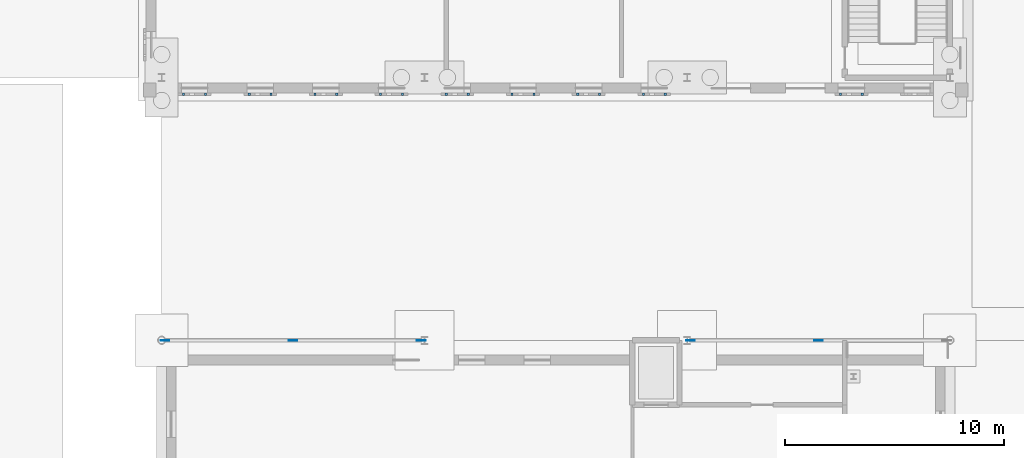
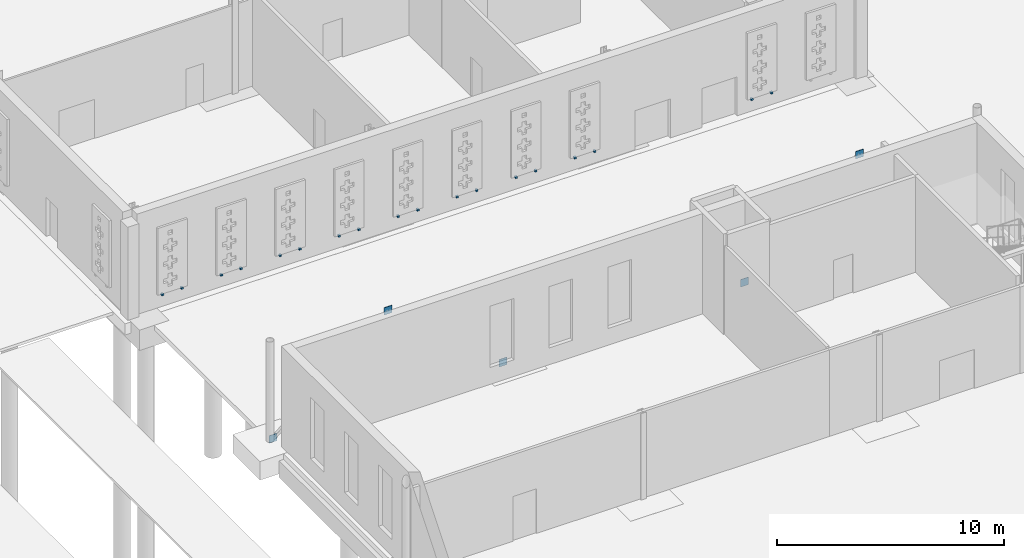
# One storey, part 112 of 132: 23 discrete accessories.
"""IFC4 building model written with IfcOpenShell, lengths in metres."""

from ifc_helpers import new_model, si_unit, direction, frame, origin, origin_2d, place, context, subcontext, project, spatial, rectangle, extrude, material, material_profile, profile_set, type_object, element, save


model = new_model("IFC4")

# Units and contexts
model_context = context("Model", 3, precision=1e-05, world=origin(), true_north=direction((0.0, 1.0)))
body_context = subcontext(model_context, "Body", "Model", "MODEL_VIEW")
ifc_project = project(units=[si_unit("LENGTHUNIT", "METRE"), si_unit("AREAUNIT", "SQUARE_METRE"), si_unit("VOLUMEUNIT", "CUBIC_METRE"), si_unit("PLANEANGLEUNIT", "RADIAN"), si_unit("MASSUNIT", "GRAM", prefix="KILO")], contexts=[model_context])

# Site, building, storey
site_placement = place(None, origin())
site = spatial("IfcSite", under=ifc_project, at=site_placement, CompositionType="ELEMENT")
building_placement = place(site_placement, origin())
building = spatial("IfcBuilding", under=site, at=building_placement, Name="Ravi Spectrum Wholesale Market", CompositionType="ELEMENT")
storey_placement = place(building_placement, origin())
storey = spatial("IfcBuildingStorey", under=building, at=storey_placement, Name="L00", CompositionType="ELEMENT", Elevation=0.0)

# Discrete accessories
ifc_material_1 = material(Name="Steel S355", Category="steel")
ifc_material_profile = material_profile(ifc_material_1, rectangle(XDim=0.39990234375, YDim=0.02001953125, at=origin_2d()))
ifc_profile_set = profile_set([ifc_material_profile], Name="Steel S355")
discrete_accessory_type_1 = type_object("IfcDiscreteAccessoryType", Name="Gusset plate 400x400x20", PredefinedType="BRACKET", material=ifc_profile_set)
for number, where, z_axis, x_axis, name in (
    (1, (162.14990234375, 186.0, -0.14208984375), (0.0, 0.0, 1.0), (1.0, 0.0, 0.0), "Gusset plate"),
    (2, (168.0, 186.0, 4.699951171875), (0.0, 0.0, 1.0), (1.0, 0.0, 0.0), "Gusset plate"),
    (3, (173.85009765625, 186.0, -0.14208984375), (0.0, 0.0, 1.0), (-1.0, 0.0, 0.0), "Gusset plate"),
    (4, (186.14990234375, 186.0, -0.14208984375), (0.0, 0.0, 1.0), (1.0, 0.0, 0.0), "Gusset plate"),
    (5, (192.0, 186.0, 4.699951171875), (0.0, 0.0, 1.0), (1.0, 0.0, 0.0), "Gusset plate"),
):
    element("IfcDiscreteAccessory", number, at=place(storey_placement, frame(where, z_axis=z_axis, x_axis=x_axis)), inside=storey, type_object=discrete_accessory_type_1, Name=name, PredefinedType="BRACKET", context=body_context, shape_type="SweptSolid", body=[
        extrude(rectangle(XDim=0.39990234375, YDim=0.02001953125, at=origin_2d()), origin(), (0.0, 0.0, 1.0), 0.400146484375),
    ])
ifc_material_2 = material(Name="Steel S355", Category="steel")
discrete_accessory_type_2 = type_object("IfcDiscreteAccessoryType", Name="Steel angle bracket 100 x 115", PredefinedType="BRACKET", material=ifc_material_2)
for number, where, z_axis, x_axis, name in (
    (6, (163.0, 197.232421875, 0.64990234375), (0.0, 0.0, 1.0), (1.0, 0.0, 0.0), "Screen bracket"),
    (7, (164.0, 197.232421875, 0.64990234375), (0.0, 0.0, 1.0), (1.0, 0.0, 0.0), "Screen bracket"),
    (8, (166.0, 197.232421875, 0.64990234375), (0.0, 0.0, 1.0), (1.0, 0.0, 0.0), "Screen bracket"),
    (9, (167.0, 197.232421875, 0.64990234375), (0.0, 0.0, 1.0), (1.0, 0.0, 0.0), "Screen bracket"),
    (10, (169.0, 197.232421875, 0.64990234375), (0.0, 0.0, 1.0), (1.0, 0.0, 0.0), "Screen bracket"),
    (11, (170.0, 197.232421875, 0.64990234375), (0.0, 0.0, 1.0), (1.0, 0.0, 0.0), "Screen bracket"),
    (12, (172.0, 197.232421875, 0.64990234375), (0.0, 0.0, 1.0), (1.0, 0.0, 0.0), "Screen bracket"),
    (13, (173.0, 197.232421875, 0.64990234375), (0.0, 0.0, 1.0), (1.0, 0.0, 0.0), "Screen bracket"),
    (14, (175.0, 197.232421875, 0.64990234375), (0.0, 0.0, 1.0), (1.0, 0.0, 0.0), "Screen bracket"),
    (15, (176.0, 197.232421875, 0.64990234375), (0.0, 0.0, 1.0), (1.0, 0.0, 0.0), "Screen bracket"),
    (16, (178.0, 197.232421875, 0.64990234375), (0.0, 0.0, 1.0), (1.0, 0.0, 0.0), "Screen bracket"),
    (17, (179.0, 197.232421875, 0.64990234375), (0.0, 0.0, 1.0), (1.0, 0.0, 0.0), "Screen bracket"),
    (18, (181.0, 197.232421875, 0.64990234375), (0.0, 0.0, 1.0), (1.0, 0.0, 0.0), "Screen bracket"),
    (19, (182.0, 197.232421875, 0.64990234375), (0.0, 0.0, 1.0), (1.0, 0.0, 0.0), "Screen bracket"),
    (20, (184.0, 197.232421875, 0.64990234375), (0.0, 0.0, 1.0), (1.0, 0.0, 0.0), "Screen bracket"),
    (21, (185.0, 197.232421875, 0.64990234375), (0.0, 0.0, 1.0), (1.0, 0.0, 0.0), "Screen bracket"),
    (22, (193.0, 197.232421875, 0.64990234375), (0.0, 0.0, 1.0), (1.0, 0.0, 0.0), "Screen bracket"),
    (23, (194.0, 197.232421875, 0.64990234375), (0.0, 0.0, 1.0), (1.0, 0.0, 0.0), "Screen bracket"),
):
    element("IfcDiscreteAccessory", number, at=place(storey_placement, frame(where, z_axis=z_axis, x_axis=x_axis)), inside=storey, type_object=discrete_accessory_type_2, Name=name, PredefinedType="BRACKET", context=body_context, shape_type="SweptSolid", body=[
        extrude(rectangle(XDim=0.10009765625, YDim=0.114990234375, at=origin_2d()), origin(), (0.0, 0.0, 1.0), 0.10009765625),
    ])

save(model, "model.ifc")
